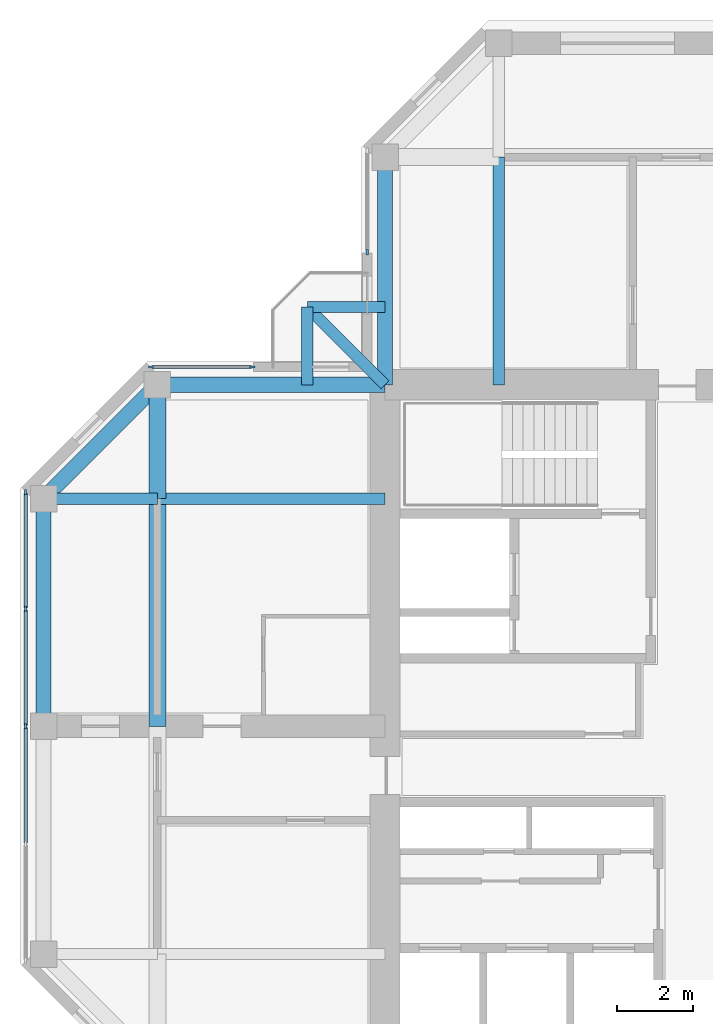
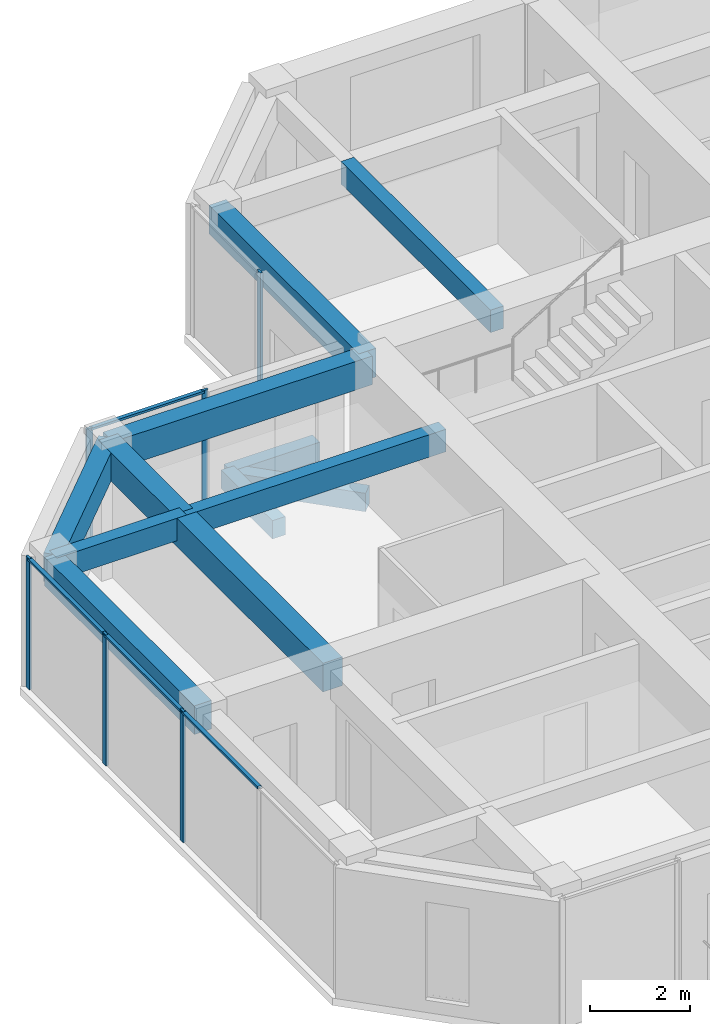
# One storey, part 4 of 13: 12 beams, 10 members, 3 elements without a shape of their own.
"""IFC4 building model written with IfcOpenShell, lengths in metres."""

from ifc_helpers import new_model, si_unit, direction, frame, origin, origin_2d, place, context, subcontext, project, spatial, rectangle, extrude, material, material_profile, profile_set, type_object, element, aggregate, save


model = new_model("IFC4")

# Units and contexts
model_context = context("Model", 3, precision=1e-05, world=origin(), true_north=direction((0.0, 1.0)))
body_context = subcontext(model_context, "Body", "Model", "MODEL_VIEW")
ifc_project = project(units=[si_unit("LENGTHUNIT", "METRE"), si_unit("AREAUNIT", "SQUARE_METRE"), si_unit("VOLUMEUNIT", "CUBIC_METRE"), si_unit("PLANEANGLEUNIT", "RADIAN"), si_unit("MASSUNIT", "GRAM", prefix="KILO")], contexts=[model_context])

# Site, building, storey
site_placement = place(None, origin())
site = spatial("IfcSite", under=ifc_project, at=site_placement, CompositionType="ELEMENT")
building_placement = place(site_placement, origin())
building = spatial("IfcBuilding", under=site, at=building_placement, Name="Torre Cruceta", CompositionType="ELEMENT")
storey_placement = place(building_placement, frame((0.0, 0.0, 284.89990234375)))
storey = spatial("IfcBuildingStorey", under=building, at=storey_placement, Name="L74", CompositionType="ELEMENT", Elevation=284.89990234375)

# Beams
ifc_material_1 = material(Name="Concrete G60 (fck 60 MPa)", Category="concrete")
ifc_material_profile_1 = material_profile(ifc_material_1, rectangle(XDim=0.300048828125, YDim=0.449951171875, at=origin_2d()), Name="RC 300X450")
ifc_profile_set_1 = profile_set([ifc_material_profile_1], Name="Concrete G60 (fck 60 MPa)")
beam_type_1 = type_object("IfcBeamType", Name="BALCONY CANTILEVER BEAM RC 300X450", PredefinedType="BEAM", material=ifc_profile_set_1)
beam_1_placement = place(storey_placement, frame((-9.0, 9.0, -0.40478515625), z_axis=(-0.707106781187, 0.707106781187, 0.0), x_axis=(-0.707106781187, -0.707106781187, 0.0)))
element("IfcBeam", 1, at=beam_1_placement, inside=storey, type_object=beam_type_1, Name="BB1 balcony beam L74 N", PredefinedType="BEAM", context=body_context, shape_type="SweptSolid", body=[
    extrude(rectangle(XDim=0.300048828125, YDim=0.449951171875, at=origin_2d()), origin(), (0.0, 0.0, 1.0), 2.89990234375),
])
for number, where, z_axis, x_axis, name in (
    (2, (-11.050537109375, 9.0, -0.40478515625), (0.0, 1.0, 0.0), (-1.0, 0.0, 0.0), "BB1 balcony edge beam L74 N-X"),
    (3, (-9.0, 11.050537109375, -0.40478515625), (-1.0, 0.0, 0.0), (0.0, -1.0, 0.0), "BB1 balcony edge beam L74 N-Y"),
):
    element("IfcBeam", number, at=place(storey_placement, frame(where, z_axis=z_axis, x_axis=x_axis)), inside=storey, type_object=beam_type_1, Name=name, PredefinedType="BEAM", context=body_context, shape_type="SweptSolid", body=[
        extrude(rectangle(XDim=0.300048828125, YDim=0.449951171875, at=origin_2d()), origin(), (0.0, 0.0, 1.0), 2.050537109375),
    ])
ifc_material_2 = material(Name="Concrete G60 (fck 60 MPa)", Category="concrete")
ifc_material_profile_2 = material_profile(ifc_material_2, rectangle(XDim=0.300048828125, YDim=0.550048828125, at=origin_2d()), Name="RC 300X550")
ifc_profile_set_2 = profile_set([ifc_material_profile_2], Name="Concrete G60 (fck 60 MPa)")
beam_type_2 = type_object("IfcBeamType", Name="COLUMN LINE BEAM RC 300X550", PredefinedType="BEAM", material=ifc_profile_set_2)
for number, where, z_axis, x_axis, name in (
    (4, (-6.0, 9.0, 2.925048828125), (0.0, 1.0, 0.0), (-1.0, 0.0, 0.0), "LB10 L74 N col+ 1"),
    (5, (-9.0, 6.0, 2.925048828125), (-1.0, 0.0, 0.0), (0.0, -1.0, 0.0), "LB10 L74 W col- 1"),
):
    element("IfcBeam", number, at=place(storey_placement, frame(where, z_axis=z_axis, x_axis=x_axis)), inside=storey, type_object=beam_type_2, Name=name, PredefinedType="BEAM", context=body_context, shape_type="SweptSolid", body=[
        extrude(rectangle(XDim=0.300048828125, YDim=0.550048828125, at=origin_2d()), origin(), (0.0, 0.0, 1.0), 6.0),
    ])
beam_2_placement = place(storey_placement, frame((-15.0, 6.0, 2.925048828125), z_axis=(-1.0, 0.0, 0.0), x_axis=(0.0, -1.0, 0.0)))
element("IfcBeam", 6, at=beam_2_placement, inside=storey, type_object=beam_type_2, Name="LB10 L74 W col- 2", PredefinedType="BEAM", context=body_context, shape_type="SweptSolid", body=[
    extrude(rectangle(XDim=0.300048828125, YDim=0.550048828125, at=origin_2d()), origin(), (0.0, 0.0, 1.0), 3.0),
])
ifc_material_3 = material(Name="Concrete G60 (fck 60 MPa)", Category="concrete")
ifc_material_profile_3 = material_profile(ifc_material_3, rectangle(XDim=0.449951171875, YDim=0.699951171875, at=origin_2d()), Name="RC 450X700")
ifc_profile_set_3 = profile_set([ifc_material_profile_3], Name="Concrete G60 (fck 60 MPa)")
beam_type_3 = type_object("IfcBeamType", Name="CROSS BEAM RC 450X700", PredefinedType="BEAM", material=ifc_profile_set_3)
beam_3_placement = place(storey_placement, frame((-15.0, 9.0, 2.85009765625), z_axis=(0.0, -1.0, 0.0), x_axis=(1.0, 0.0, 0.0)))
element("IfcBeam", 7, at=beam_3_placement, inside=storey, type_object=beam_type_3, Name="GB8 L74 W cross15 1", PredefinedType="BEAM", context=body_context, shape_type="SweptSolid", body=[
    extrude(rectangle(XDim=0.449951171875, YDim=0.699951171875, at=origin_2d()), origin(), (0.0, 0.0, 1.0), 3.0),
])
beam_4_placement = place(storey_placement, frame((-15.0, 6.0, 2.85009765625), z_axis=(0.0, -1.0, 0.0), x_axis=(1.0, 0.0, 0.0)))
element("IfcBeam", 8, at=beam_4_placement, inside=storey, type_object=beam_type_3, Name="GB8 L74 W cross15 2", PredefinedType="BEAM", context=body_context, shape_type="SweptSolid", body=[
    extrude(rectangle(XDim=0.449951171875, YDim=0.699951171875, at=origin_2d()), origin(), (0.0, 0.0, 1.0), 6.0),
])

# Curtain wall, member
ifc_material_4 = material(Name="Aluminium unitised curtain wall", Category="aluminium")
curtain_wall_type = type_object("IfcCurtainWallType", Name="CURTAIN WALL CW-E CO-LIVING TOP", PredefinedType="USERDEFINED", material=ifc_material_4)
curtain_wall_1_placement = place(storey_placement, origin())
curtain_wall_1 = element("IfcCurtainWall", 9, at=curtain_wall_1_placement, inside=storey, type_object=curtain_wall_type, Name="CW-E L74 N side 09", ObjectType="UNITISED", PredefinedType="USERDEFINED")
ifc_material_5 = material(Name="Aluminium mullion", Category="aluminium")
ifc_material_profile_4 = material_profile(ifc_material_5, rectangle(XDim=0.054931640625, YDim=0.139892578125, at=origin_2d()), Name="AL 55X140")
ifc_profile_set_4 = profile_set([ifc_material_profile_4], Name="Aluminium mullion")
member_type_1 = type_object("IfcMemberType", Name="CW-E MULLION 55X140", PredefinedType="MULLION", material=ifc_profile_set_4)
member_1_placement = place(storey_placement, frame((-9.469970703125, 12.49755859375, 0.0), z_axis=(0.0, 0.0, 1.0), x_axis=(1.0, 0.0, 0.0)))
member_1 = element("IfcMember", 10, at=member_1_placement, type_object=member_type_1, Name="CW-E mullion 2", PredefinedType="MULLION", context=body_context, shape_type="SweptSolid", body=[
    extrude(rectangle(XDim=0.054931640625, YDim=0.139892578125, at=origin_2d()), origin(), (0.0, 0.0, 1.0), 3.2001953125),
])
aggregate(curtain_wall_1, [member_1])

# Curtain wall, members
curtain_wall_2_placement = place(storey_placement, origin())
curtain_wall_2 = element("IfcCurtainWall", 11, at=curtain_wall_2_placement, inside=storey, type_object=curtain_wall_type, Name="CW-E L74 W side 10", ObjectType="UNITISED", PredefinedType="USERDEFINED")
member_2_placement = place(storey_placement, frame((-12.49755859375, 9.469970703125, 0.0), z_axis=(0.0, 0.0, 1.0), x_axis=(0.0, -1.0, 0.0)))
member_2 = element("IfcMember", 12, at=member_2_placement, type_object=member_type_1, Name="CW-E mullion 1", PredefinedType="MULLION", context=body_context, shape_type="SweptSolid", body=[
    extrude(rectangle(XDim=0.054931640625, YDim=0.139892578125, at=origin_2d()), origin(), (0.0, 0.0, 1.0), 3.2001953125),
])
member_3_placement = place(storey_placement, frame((-15.167236328125, 9.469970703125, 0.0), z_axis=(0.0, 0.0, 1.0), x_axis=(0.0, -1.0, 0.0)))
member_3 = element("IfcMember", 13, at=member_3_placement, type_object=member_type_1, Name="CW-E mullion 2", PredefinedType="MULLION", context=body_context, shape_type="SweptSolid", body=[
    extrude(rectangle(XDim=0.054931640625, YDim=0.139892578125, at=origin_2d()), origin(), (0.0, 0.0, 1.0), 3.2001953125),
])

curtain_wall_3_placement = place(storey_placement, origin())
curtain_wall_3 = element("IfcCurtainWall", 14, at=curtain_wall_3_placement, inside=storey, type_object=curtain_wall_type, Name="CW-E L74 W tip 12", ObjectType="UNITISED", PredefinedType="USERDEFINED")
member_4_placement = place(storey_placement, frame((-18.469970703125, 6.167236328125, 0.0), z_axis=(0.0, 0.0, 1.0), x_axis=(1.0, 0.0, 0.0)))
member_4 = element("IfcMember", 15, at=member_4_placement, type_object=member_type_1, Name="CW-E mullion 1", PredefinedType="MULLION", context=body_context, shape_type="SweptSolid", body=[
    extrude(rectangle(XDim=0.054931640625, YDim=0.139892578125, at=origin_2d()), origin(), (0.0, 0.0, 1.0), 3.2001953125),
])
member_5_placement = place(storey_placement, frame((-18.469970703125, 3.097412109375, 0.0), z_axis=(0.0, 0.0, 1.0), x_axis=(1.0, 0.0, 0.0)))
member_5 = element("IfcMember", 16, at=member_5_placement, type_object=member_type_1, Name="CW-E mullion 2", PredefinedType="MULLION", context=body_context, shape_type="SweptSolid", body=[
    extrude(rectangle(XDim=0.054931640625, YDim=0.139892578125, at=origin_2d()), origin(), (0.0, 0.0, 1.0), 3.2001953125),
])
member_6_placement = place(storey_placement, frame((-18.469970703125, 0.0, 0.0), z_axis=(0.0, 0.0, 1.0), x_axis=(1.0, 0.0, 0.0)))
member_6 = element("IfcMember", 17, at=member_6_placement, type_object=member_type_1, Name="CW-E mullion 3", PredefinedType="MULLION", context=body_context, shape_type="SweptSolid", body=[
    extrude(rectangle(XDim=0.054931640625, YDim=0.139892578125, at=origin_2d()), origin(), (0.0, 0.0, 1.0), 3.2001953125),
])

# Member
ifc_material_6 = material(Name="Aluminium transom", Category="aluminium")
ifc_material_profile_5 = material_profile(ifc_material_6, rectangle(XDim=0.090087890625, YDim=0.054931640625, at=origin_2d()), Name="AL 90X55")
ifc_profile_set_5 = profile_set([ifc_material_profile_5], Name="Aluminium transom")
member_type_2 = type_object("IfcMemberType", Name="CW-E TRANSOM 55X90", PredefinedType="USERDEFINED", material=ifc_profile_set_5)
member_7_placement = place(storey_placement, frame((-12.52490234375, 9.469970703125, 3.172607421875), z_axis=(-1.0, 0.0, 0.0), x_axis=(0.0, -1.0, 0.0)))
member_7 = element("IfcMember", 18, at=member_7_placement, type_object=member_type_2, Name="CW-E transom 1", ObjectType="TRANSOM", PredefinedType="USERDEFINED", context=body_context, shape_type="SweptSolid", body=[
    extrude(rectangle(XDim=0.090087890625, YDim=0.054931640625, at=origin_2d()), origin(), (0.0, 0.0, 1.0), 2.61474609375),
])

aggregate(curtain_wall_2, [member_2, member_3, member_7])

member_8_placement = place(storey_placement, frame((-18.469970703125, 6.1396484375, 3.172607421875), z_axis=(0.0, -1.0, 0.0), x_axis=(1.0, 0.0, 0.0)))
member_8 = element("IfcMember", 19, at=member_8_placement, type_object=member_type_2, Name="CW-E transom 1", ObjectType="TRANSOM", PredefinedType="USERDEFINED", context=body_context, shape_type="SweptSolid", body=[
    extrude(rectangle(XDim=0.090087890625, YDim=0.054931640625, at=origin_2d()), origin(), (0.0, 0.0, 1.0), 3.014892578125),
])

member_9_placement = place(storey_placement, frame((-18.469970703125, 3.06982421875, 3.172607421875), z_axis=(0.0, -1.0, 0.0), x_axis=(1.0, 0.0, 0.0)))
member_9 = element("IfcMember", 20, at=member_9_placement, type_object=member_type_2, Name="CW-E transom 2", ObjectType="TRANSOM", PredefinedType="USERDEFINED", context=body_context, shape_type="SweptSolid", body=[
    extrude(rectangle(XDim=0.090087890625, YDim=0.054931640625, at=origin_2d()), origin(), (0.0, 0.0, 1.0), 3.042236328125),
])

member_10_placement = place(storey_placement, frame((-18.469970703125, -0.027587890625, 3.172607421875), z_axis=(0.0, -1.0, 0.0), x_axis=(1.0, 0.0, 0.0)))
member_10 = element("IfcMember", 21, at=member_10_placement, type_object=member_type_2, Name="CW-E transom 3", ObjectType="TRANSOM", PredefinedType="USERDEFINED", context=body_context, shape_type="SweptSolid", body=[
    extrude(rectangle(XDim=0.090087890625, YDim=0.054931640625, at=origin_2d()), origin(), (0.0, 0.0, 1.0), 3.042236328125),
])

aggregate(curtain_wall_3, [member_4, member_5, member_6, member_8, member_9, member_10])

# Beams
ifc_material_7 = material(Name="Concrete G60 (fck 60 MPa)", Category="concrete")
ifc_material_profile_6 = material_profile(ifc_material_7, rectangle(XDim=0.39990234375, YDim=0.699951171875, at=origin_2d()), Name="RC 400X700")
ifc_profile_set_6 = profile_set([ifc_material_profile_6], Name="Concrete G60 (fck 60 MPa)")
beam_type_4 = type_object("IfcBeamType", Name="SPANDREL BEAM RC 400X700", PredefinedType="SPANDREL", material=ifc_profile_set_6)
for number, where, z_axis, x_axis, name in (
    (22, (-9.0, 9.0, 2.85009765625), (0.0, 1.0, 0.0), (-1.0, 0.0, 0.0), "SB8 L74 N side+ 1"),
    (23, (-9.0, 9.0, 2.85009765625), (-1.0, 0.0, 0.0), (0.0, -1.0, 0.0), "SB8 L74 W side- 1"),
):
    element("IfcBeam", number, at=place(storey_placement, frame(where, z_axis=z_axis, x_axis=x_axis)), inside=storey, type_object=beam_type_4, Name=name, PredefinedType="SPANDREL", context=body_context, shape_type="SweptSolid", body=[
        extrude(rectangle(XDim=0.39990234375, YDim=0.699951171875, at=origin_2d()), origin(), (0.0, 0.0, 1.0), 6.0),
    ])
beam_5_placement = place(storey_placement, frame((-15.0, 9.0, 2.85009765625), z_axis=(-0.707106781187, -0.707106781187, 0.0), x_axis=(0.707106781187, -0.707106781187, 0.0)))
element("IfcBeam", 24, at=beam_5_placement, inside=storey, type_object=beam_type_4, Name="SB8 L74 W side- 2", PredefinedType="SPANDREL", context=body_context, shape_type="SweptSolid", body=[
    extrude(rectangle(XDim=0.39990234375, YDim=0.699951171875, at=origin_2d()), origin(), (0.0, 0.0, 1.0), 4.24267578125),
])
beam_6_placement = place(storey_placement, frame((-18.0, 6.0, 2.85009765625), z_axis=(0.0, -1.0, 0.0), x_axis=(1.0, 0.0, 0.0)))
element("IfcBeam", 25, at=beam_6_placement, inside=storey, type_object=beam_type_4, Name="SB8 L74 W tip 1", PredefinedType="SPANDREL", context=body_context, shape_type="SweptSolid", body=[
    extrude(rectangle(XDim=0.39990234375, YDim=0.699951171875, at=origin_2d()), origin(), (0.0, 0.0, 1.0), 6.0),
])

save(model, "model.ifc")
